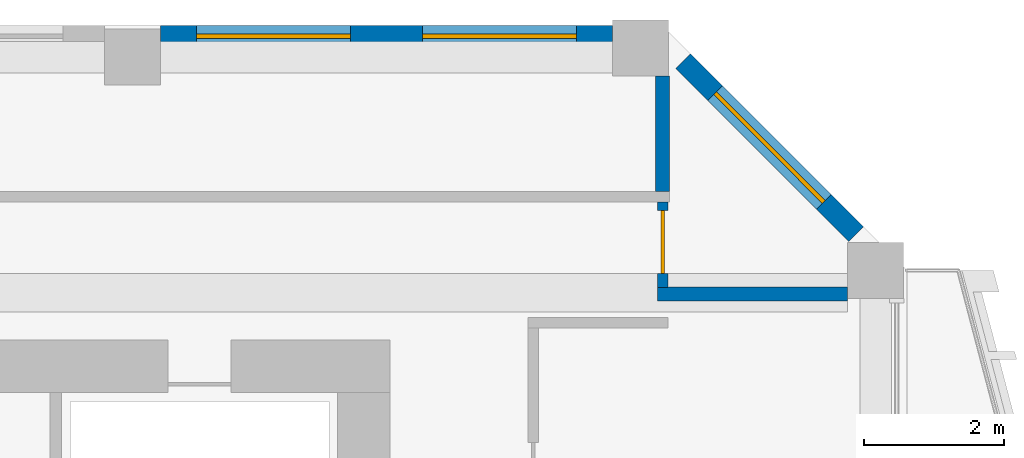
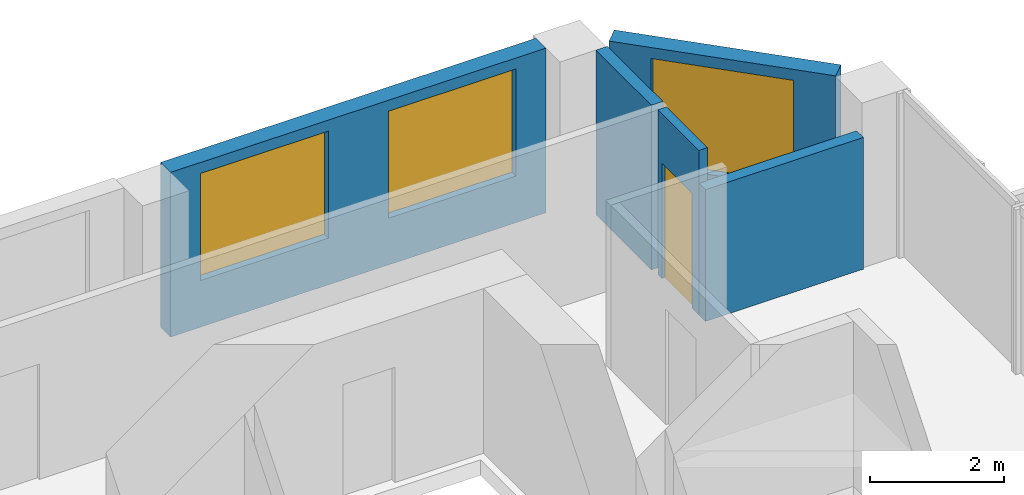
# One storey, part 18 of 24: 5 walls, 3 windows, 1 door, 4 openings.
"""IFC4 building model written with IfcOpenShell, lengths in metres."""

from ifc_helpers import new_model, si_unit, direction, frame, frame_2d, origin, place, context, subcontext, project, spatial, rectangle, extrude, source, transform, mapped, material, layer, layer_set, type_object, element, fill, save


model = new_model("IFC4")

# Units and contexts
model_context = context("Model", 3, precision=1e-05, world=origin(), true_north=direction((0.0, 1.0)))
body_context = subcontext(model_context, "Body", "Model", "MODEL_VIEW")
ifc_project = project(units=[si_unit("LENGTHUNIT", "METRE"), si_unit("AREAUNIT", "SQUARE_METRE"), si_unit("VOLUMEUNIT", "CUBIC_METRE"), si_unit("PLANEANGLEUNIT", "RADIAN"), si_unit("MASSUNIT", "GRAM", prefix="KILO")], contexts=[model_context])

# Site, building, storey
site_placement = place(None, origin())
site = spatial("IfcSite", under=ifc_project, at=site_placement, CompositionType="ELEMENT")
building_placement = place(site_placement, origin())
building = spatial("IfcBuilding", under=site, at=building_placement, Name="Kilnfold Tower and Market Hall", CompositionType="ELEMENT")
storey_placement = place(building_placement, frame((0.0, 0.0, 192.300048828125)))
storey = spatial("IfcBuildingStorey", under=building, at=storey_placement, Name="L46", CompositionType="ELEMENT", Elevation=192.300048828125)

# Wall, opening, door
ifc_material_1 = material(Name="Gypsum board on steel studs", Category="steel")
ifc_layer_1 = layer(ifc_material_1, 0.14990234375)
ifc_layer_set_1 = layer_set([ifc_layer_1], Name="Gypsum board on steel studs")
wall_type_1 = type_object("IfcWallType", Name="WALL CORRIDOR 150", PredefinedType="PARTITIONING", material=ifc_layer_set_1)
wall_1_placement = place(storey_placement, frame((21.75, 22.5029296875, 0.0), z_axis=(0.0, 0.0, 1.0), x_axis=(0.0, 1.0, 0.0)))
wall_1 = element("IfcWall", 1, at=wall_1_placement, inside=storey, type_object=wall_type_1, Name="Partition LY28.33", PredefinedType="PARTITIONING", context=body_context, shape_type="SweptSolid", body=[
    extrude(rectangle(XDim=1.22216796875, YDim=0.14990234375, at=frame_2d((0.611083984375, 0.0))), origin(), (0.0, 0.0, 1.0), 3.0),
])
opening_1_placement = place(wall_1_placement, frame((0.201904296875, 0.0, 0.0)))
opening_1 = element("IfcOpeningElement", 2, at=opening_1_placement, cuts=wall_1, Name="Opening D2", PredefinedType="OPENING", context=body_context, shape_type="SweptSolid", body=[
    extrude(rectangle(XDim=0.89990234375, YDim=2.10009765625, at=frame_2d((0.449951171875, 1.050048828125))), frame((0.0, 0.0849609375, 0.0), z_axis=(0.0, -1.0, 0.0), x_axis=(1.0, 0.0, 0.0)), (0.0, 0.0, 1.0), 0.169921875),
])
ifc_material_2 = material(Name="Timber veneer door leaf in steel frame", Category="steel")
door_type = type_object("IfcDoorType", Name="DOOR ROOM 900 X2100", OperationType="NOTDEFINED", PredefinedType="DOOR", material=ifc_material_2)
door_placement = place(opening_1_placement, origin())
door = element("IfcDoor", 3, at=door_placement, inside=storey, type_object=door_type, Name="Door D2", OperationType="SINGLE_SWING_RIGHT", OverallHeight=2.10009765625, OverallWidth=0.89990234375, PredefinedType="DOOR", context=body_context, shape_type="SweptSolid", body=[
    extrude(rectangle(XDim=0.89990234375, YDim=2.10009765625, at=frame_2d((0.449951171875, 1.050048828125))), frame((0.0, 0.02490234375, 0.0), z_axis=(0.0, -1.0, 0.0), x_axis=(1.0, 0.0, 0.0)), (0.0, 0.0, 1.0), 0.050048828125),
])
fill(opening_1, door)

# Walls
ifc_material_3 = material(Name="Gypsum board on steel studs", Category="steel")
ifc_layer_2 = layer(ifc_material_3, 0.199951171875)
ifc_layer_set_2 = layer_set([ifc_layer_2], Name="Gypsum board on steel studs")
wall_type_2 = type_object("IfcWallType", Name="WALL PARTY 200", PredefinedType="PARTITIONING", material=ifc_layer_set_2)
wall_2_placement = place(storey_placement, frame((24.39990234375, 22.4130859375, 0.0), z_axis=(0.0, 0.0, 1.0), x_axis=(-1.0, 0.0, 0.0)))
element("IfcWall", 4, at=wall_2_placement, inside=storey, type_object=wall_type_2, Name="Partition LY28.117", PredefinedType="PARTITIONING", context=body_context, shape_type="SweptSolid", body=[
    extrude(rectangle(XDim=2.722900390625, YDim=0.199951171875, at=frame_2d((1.361328125, 0.0))), origin(), (0.0, 0.0, 1.0), 2.39990234375),
])
wall_3_placement = place(storey_placement, frame((21.75, 25.531982421875, 0.0), z_axis=(0.0, 0.0, 1.0), x_axis=(0.0, -1.0, 0.0)))
element("IfcWall", 5, at=wall_3_placement, inside=storey, type_object=wall_type_2, Name="Partition LY28.118", PredefinedType="PARTITIONING", context=body_context, shape_type="SweptSolid", body=[
    extrude(rectangle(XDim=1.655029296875, YDim=0.199951171875, at=frame_2d((0.82763671875, 0.0))), origin(), (0.0, 0.0, 1.0), 3.0),
])

# Wall, opening, window
ifc_material_4 = material(Name="Precast concrete C50/60", Category="concrete")
ifc_layer_3 = layer(ifc_material_4, 0.300048828125)
ifc_layer_set_3 = layer_set([ifc_layer_3], Name="Precast concrete C50/60")
wall_type_3 = type_object("IfcWallType", Name="PRECAST WALL 300", PredefinedType="SOLIDWALL", material=ifc_layer_set_3)
shared_shape_1 = source(origin(), body_context, "Body", "SweptSolid", [
    extrude(rectangle(XDim=3.500244140625, YDim=0.300048828125, at=frame_2d((1.75, 0.0))), origin(), (0.0, 0.0, 1.0), 3.0),
])
wall_4_placement = place(storey_placement, frame((24.518798828125, 23.268798828125, 0.0), z_axis=(0.0, 0.0, 1.0), x_axis=(-0.70707190453, 0.707141656123, 0.0)))
wall_4 = element("IfcWall", 6, at=wall_4_placement, inside=storey, type_object=wall_type_3, Name="External wall L46 NE", PredefinedType="SOLIDWALL", context=body_context, shape_type="MappedRepresentation", body=[
    mapped(shared_shape_1, transform((0.0, 0.0, 0.0))),
])
opening_2_placement = place(wall_4_placement, frame((0.650146484375, 0.0, 0.85009765625)))
opening_2 = element("IfcOpeningElement", 7, at=opening_2_placement, cuts=wall_4, Name="Opening W2", PredefinedType="OPENING", context=body_context, shape_type="SweptSolid", body=[
    extrude(rectangle(XDim=2.199951171875, YDim=1.949951171875, at=frame_2d((1.10009765625, 0.97509765625))), frame((0.0, 0.16015625, 0.0), z_axis=(0.0, -1.0, 0.0), x_axis=(1.0, 0.0, 0.0)), (0.0, 0.0, 1.0), 0.320068359375),
])
ifc_material_5 = material(Name="Aluminium frame and double glazing", Category="aluminium")
window_type = type_object("IfcWindowType", Name="WINDOW W2 2200X1950", PartitioningType="SINGLE_PANEL", PredefinedType="WINDOW", material=ifc_material_5)
window_1_placement = place(opening_2_placement, origin())
window_1 = element("IfcWindow", 8, at=window_1_placement, inside=storey, type_object=window_type, Name="Window W2 L46 NE-1", OverallHeight=1.949951171875, OverallWidth=2.199951171875, PartitioningType="SINGLE_PANEL", PredefinedType="WINDOW", context=body_context, shape_type="SweptSolid", body=[
    extrude(rectangle(XDim=2.199951171875, YDim=1.949951171875, at=frame_2d((1.10009765625, 0.97509765625))), frame((0.0, 0.030029296875, 0.0), z_axis=(0.0, -1.0, 0.0), x_axis=(1.0, 0.0, 0.0)), (0.0, 0.0, 1.0), 0.06005859375),
])
fill(opening_2, window_1)

# Wall, openings, windows
shared_shape_2 = source(origin(), body_context, "Body", "SweptSolid", [
    extrude(rectangle(XDim=6.465087890625, YDim=0.300048828125, at=frame_2d((3.232421875, 0.0))), origin(), (0.0, 0.0, 1.0), 3.0),
])
wall_5_placement = place(storey_placement, frame((21.03173828125, 26.10009765625, 0.0), z_axis=(0.0, 0.0, 1.0), x_axis=(-1.0, 0.0, 0.0)))
wall_5 = element("IfcWall", 9, at=wall_5_placement, inside=storey, type_object=wall_type_3, Name="External wall L46 N", PredefinedType="SOLIDWALL", context=body_context, shape_type="MappedRepresentation", body=[
    mapped(shared_shape_2, transform((0.0, 0.0, 0.0))),
])
opening_3_placement = place(wall_5_placement, frame((0.51611328125, 0.0, 0.85009765625)))
opening_3 = element("IfcOpeningElement", 10, at=opening_3_placement, cuts=wall_5, Name="Opening W2", PredefinedType="OPENING", context=body_context, shape_type="SweptSolid", body=[
    extrude(rectangle(XDim=2.199951171875, YDim=1.949951171875, at=frame_2d((1.10009765625, 0.97509765625))), frame((0.0, 0.16015625, 0.0), z_axis=(0.0, -1.0, 0.0), x_axis=(1.0, 0.0, 0.0)), (0.0, 0.0, 1.0), 0.320068359375),
])
opening_4_placement = place(wall_5_placement, frame((3.748779296875, 0.0, 0.85009765625)))
opening_4 = element("IfcOpeningElement", 11, at=opening_4_placement, cuts=wall_5, Name="Opening W2", PredefinedType="OPENING", context=body_context, shape_type="SweptSolid", body=[
    extrude(rectangle(XDim=2.199951171875, YDim=1.949951171875, at=frame_2d((1.10009765625, 0.97509765625))), frame((0.0, 0.16015625, 0.0), z_axis=(0.0, -1.0, 0.0), x_axis=(1.0, 0.0, 0.0)), (0.0, 0.0, 1.0), 0.320068359375),
])
window_2_placement = place(opening_3_placement, origin())
window_2 = element("IfcWindow", 12, at=window_2_placement, inside=storey, type_object=window_type, Name="Window W2 L46 N-1", OverallHeight=1.949951171875, OverallWidth=2.199951171875, PartitioningType="SINGLE_PANEL", PredefinedType="WINDOW", context=body_context, shape_type="SweptSolid", body=[
    extrude(rectangle(XDim=2.199951171875, YDim=1.949951171875, at=frame_2d((1.10009765625, 0.97509765625))), frame((0.0, 0.030029296875, 0.0), z_axis=(0.0, -1.0, 0.0), x_axis=(1.0, 0.0, 0.0)), (0.0, 0.0, 1.0), 0.06005859375),
])
fill(opening_3, window_2)
window_3_placement = place(opening_4_placement, origin())
window_3 = element("IfcWindow", 13, at=window_3_placement, inside=storey, type_object=window_type, Name="Window W2 L46 N-2", OverallHeight=1.949951171875, OverallWidth=2.199951171875, PartitioningType="SINGLE_PANEL", PredefinedType="WINDOW", context=body_context, shape_type="SweptSolid", body=[
    extrude(rectangle(XDim=2.199951171875, YDim=1.949951171875, at=frame_2d((1.10009765625, 0.97509765625))), frame((0.0, 0.030029296875, 0.0), z_axis=(0.0, -1.0, 0.0), x_axis=(1.0, 0.0, 0.0)), (0.0, 0.0, 1.0), 0.06005859375),
])
fill(opening_4, window_3)

save(model, "model.ifc")
